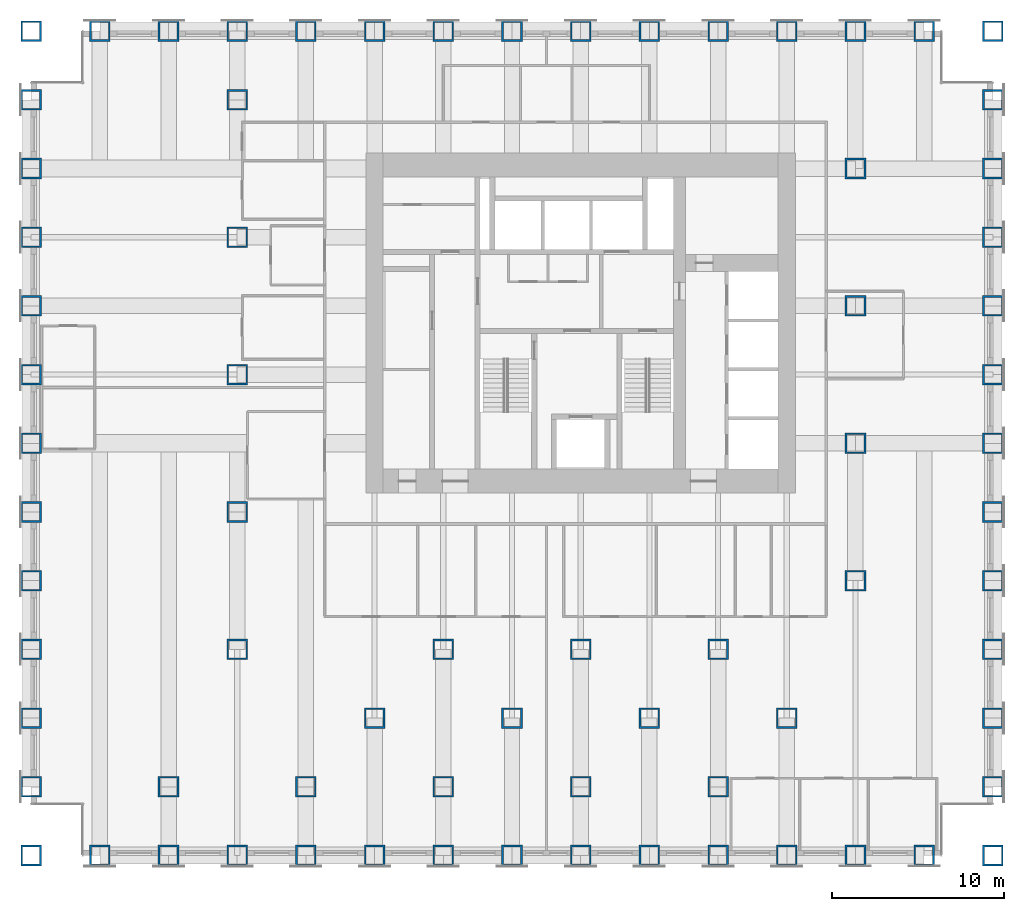
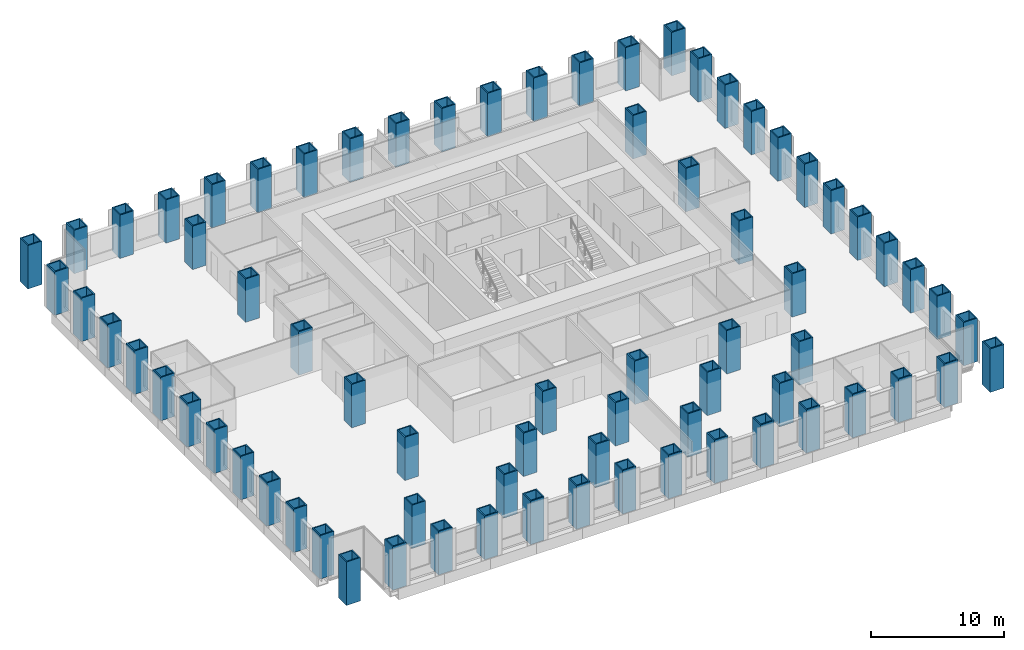
# One storey, part 1 of 15: 73 columns.
"""IFC4 building model written with IfcOpenShell, lengths in metres."""

from ifc_helpers import new_model, si_unit, direction, frame, origin, origin_2d, place, context, subcontext, project, spatial, hollow_rectangle, extrude, material, material_profile, profile_set, type_object, element, save


model = new_model("IFC4")

# Units and contexts
model_context = context("Model", 3, precision=1e-05, world=origin(), true_north=direction((0.0, 1.0)))
body_context = subcontext(model_context, "Body", "Model", "MODEL_VIEW")
ifc_project = project(units=[si_unit("LENGTHUNIT", "METRE"), si_unit("AREAUNIT", "SQUARE_METRE"), si_unit("VOLUMEUNIT", "CUBIC_METRE"), si_unit("PLANEANGLEUNIT", "RADIAN"), si_unit("MASSUNIT", "GRAM", prefix="KILO")], contexts=[model_context])

# Site, building, storey
site_placement = place(None, origin())
site = spatial("IfcSite", under=ifc_project, at=site_placement, CompositionType="ELEMENT")
building_placement = place(site_placement, origin())
building = spatial("IfcBuilding", under=site, at=building_placement, Name="Rimbunsela Tower", CompositionType="ELEMENT")
storey_placement = place(building_placement, frame((0.0, 0.0, 31.0)))
storey = spatial("IfcBuildingStorey", under=building, at=storey_placement, Name="L07", CompositionType="ELEMENT", Elevation=31.0)

# Columns
ifc_material = material(Name="Steel BJ 55 (fy 410 MPa)", Category="steel")
ifc_material_profile = material_profile(ifc_material, hollow_rectangle(XDim=1.199951171875, YDim=1.199951171875, WallThickness=0.10009765625, at=origin_2d()), Name="BOX 1200x1200x100")
ifc_profile_set = profile_set([ifc_material_profile], Name="Steel BJ 55 (fy 410 MPa)")
column_type = type_object("IfcColumnType", Name="Column BOX 1200x1200x100", PredefinedType="COLUMN", material=ifc_profile_set)
for number, where, z_axis, x_axis, name in (
    (1, (-2.0, -4.0, 0.0), (0.0, 0.0, 1.0), (1.0, 0.0, 0.0), "Column C7 2/A L07"),
    (2, (-2.0, 0.0, 0.0), (0.0, 0.0, 1.0), (1.0, 0.0, 0.0), "Column C7 2/B L07"),
    (3, (-2.0, 4.0, 0.0), (0.0, 0.0, 1.0), (1.0, 0.0, 0.0), "Column C7 2/C L07"),
    (4, (-2.0, 8.0, 0.0), (0.0, 0.0, 1.0), (1.0, 0.0, 0.0), "Column C7 2/D L07"),
    (5, (-2.0, 12.0, 0.0), (0.0, 0.0, 1.0), (1.0, 0.0, 0.0), "Column C7 2/E L07"),
    (6, (-2.0, 16.0, 0.0), (0.0, 0.0, 1.0), (1.0, 0.0, 0.0), "Column C7 2/F L07"),
    (7, (-2.0, 20.0, 0.0), (0.0, 0.0, 1.0), (1.0, 0.0, 0.0), "Column C7 2/G L07"),
    (8, (-2.0, 24.0, 0.0), (0.0, 0.0, 1.0), (1.0, 0.0, 0.0), "Column C7 2/H L07"),
    (9, (-2.0, 28.0, 0.0), (0.0, 0.0, 1.0), (1.0, 0.0, 0.0), "Column C7 2/J L07"),
    (10, (-2.0, 32.0, 0.0), (0.0, 0.0, 1.0), (1.0, 0.0, 0.0), "Column C7 2/K L07"),
    (11, (-2.0, 36.0, 0.0), (0.0, 0.0, 1.0), (1.0, 0.0, 0.0), "Column C7 2/L L07"),
    (12, (-2.0, 40.0, 0.0), (0.0, 0.0, 1.0), (1.0, 0.0, 0.0), "Column C7 2/M L07"),
    (13, (-2.0, 44.0, 0.0), (0.0, 0.0, 1.0), (1.0, 0.0, 0.0), "Column C7 2/N L07"),
    (14, (2.0, -4.0, 0.0), (0.0, 0.0, 1.0), (1.0, 0.0, 0.0), "Column C7 3/A L07"),
    (15, (2.0, 44.0, 0.0), (0.0, 0.0, 1.0), (1.0, 0.0, 0.0), "Column C7 3/N L07"),
    (16, (6.0, -4.0, 0.0), (0.0, 0.0, 1.0), (1.0, 0.0, 0.0), "Column C7 4/A L07"),
    (17, (6.0, 44.0, 0.0), (0.0, 0.0, 1.0), (1.0, 0.0, 0.0), "Column C7 4/N L07"),
    (18, (10.0, -4.0, 0.0), (0.0, 0.0, 1.0), (1.0, 0.0, 0.0), "Column C7 5/A L07"),
    (19, (10.0, 44.0, 0.0), (0.0, 0.0, 1.0), (1.0, 0.0, 0.0), "Column C7 5/N L07"),
    (20, (14.0, -4.0, 0.0), (0.0, 0.0, 1.0), (1.0, 0.0, 0.0), "Column C7 6/A L07"),
    (21, (14.0, 44.0, 0.0), (0.0, 0.0, 1.0), (1.0, 0.0, 0.0), "Column C7 6/N L07"),
    (22, (18.0, -4.0, 0.0), (0.0, 0.0, 1.0), (1.0, 0.0, 0.0), "Column C7 7/A L07"),
    (23, (18.0, 44.0, 0.0), (0.0, 0.0, 1.0), (1.0, 0.0, 0.0), "Column C7 7/N L07"),
    (24, (22.0, -4.0, 0.0), (0.0, 0.0, 1.0), (1.0, 0.0, 0.0), "Column C7 8/A L07"),
    (25, (22.0, 44.0, 0.0), (0.0, 0.0, 1.0), (1.0, 0.0, 0.0), "Column C7 8/N L07"),
    (26, (26.0, -4.0, 0.0), (0.0, 0.0, 1.0), (1.0, 0.0, 0.0), "Column C7 9/A L07"),
    (27, (26.0, 44.0, 0.0), (0.0, 0.0, 1.0), (1.0, 0.0, 0.0), "Column C7 9/N L07"),
    (28, (30.0, -4.0, 0.0), (0.0, 0.0, 1.0), (1.0, 0.0, 0.0), "Column C7 10/A L07"),
    (29, (30.0, 44.0, 0.0), (0.0, 0.0, 1.0), (1.0, 0.0, 0.0), "Column C7 10/N L07"),
    (30, (34.0, -4.0, 0.0), (0.0, 0.0, 1.0), (1.0, 0.0, 0.0), "Column C7 11/A L07"),
    (31, (34.0, 44.0, 0.0), (0.0, 0.0, 1.0), (1.0, 0.0, 0.0), "Column C7 11/N L07"),
    (32, (38.0, -4.0, 0.0), (0.0, 0.0, 1.0), (1.0, 0.0, 0.0), "Column C7 12/A L07"),
    (33, (38.0, 44.0, 0.0), (0.0, 0.0, 1.0), (1.0, 0.0, 0.0), "Column C7 12/N L07"),
    (34, (42.0, -4.0, 0.0), (0.0, 0.0, 1.0), (1.0, 0.0, 0.0), "Column C7 13/A L07"),
    (35, (42.0, 44.0, 0.0), (0.0, 0.0, 1.0), (1.0, 0.0, 0.0), "Column C7 13/N L07"),
    (36, (46.0, -4.0, 0.0), (0.0, 0.0, 1.0), (1.0, 0.0, 0.0), "Column C7 14/A L07"),
    (37, (46.0, 44.0, 0.0), (0.0, 0.0, 1.0), (1.0, 0.0, 0.0), "Column C7 14/N L07"),
    (38, (50.0, -4.0, 0.0), (0.0, 0.0, 1.0), (1.0, 0.0, 0.0), "Column C7 15/A L07"),
    (39, (50.0, 44.0, 0.0), (0.0, 0.0, 1.0), (1.0, 0.0, 0.0), "Column C7 15/N L07"),
    (40, (54.0, -4.0, 0.0), (0.0, 0.0, 1.0), (1.0, 0.0, 0.0), "Column C7 16/A L07"),
    (41, (54.0, 0.0, 0.0), (0.0, 0.0, 1.0), (1.0, 0.0, 0.0), "Column C7 16/B L07"),
    (42, (54.0, 4.0, 0.0), (0.0, 0.0, 1.0), (1.0, 0.0, 0.0), "Column C7 16/C L07"),
    (43, (54.0, 8.0, 0.0), (0.0, 0.0, 1.0), (1.0, 0.0, 0.0), "Column C7 16/D L07"),
    (44, (54.0, 12.0, 0.0), (0.0, 0.0, 1.0), (1.0, 0.0, 0.0), "Column C7 16/E L07"),
    (45, (54.0, 16.0, 0.0), (0.0, 0.0, 1.0), (1.0, 0.0, 0.0), "Column C7 16/F L07"),
    (46, (54.0, 20.0, 0.0), (0.0, 0.0, 1.0), (1.0, 0.0, 0.0), "Column C7 16/G L07"),
    (47, (54.0, 24.0, 0.0), (0.0, 0.0, 1.0), (1.0, 0.0, 0.0), "Column C7 16/H L07"),
    (48, (54.0, 28.0, 0.0), (0.0, 0.0, 1.0), (1.0, 0.0, 0.0), "Column C7 16/J L07"),
    (49, (54.0, 32.0, 0.0), (0.0, 0.0, 1.0), (1.0, 0.0, 0.0), "Column C7 16/K L07"),
    (50, (54.0, 36.0, 0.0), (0.0, 0.0, 1.0), (1.0, 0.0, 0.0), "Column C7 16/L L07"),
    (51, (54.0, 40.0, 0.0), (0.0, 0.0, 1.0), (1.0, 0.0, 0.0), "Column C7 16/M L07"),
    (52, (54.0, 44.0, 0.0), (0.0, 0.0, 1.0), (1.0, 0.0, 0.0), "Column C7 16/N L07"),
    (53, (6.0, 0.0, 0.0), (0.0, 0.0, 1.0), (1.0, 0.0, 0.0), "Column C7 4/B L07"),
    (54, (10.0, 8.0, 0.0), (0.0, 0.0, 1.0), (1.0, 0.0, 0.0), "Column C7 5/D L07"),
    (55, (10.0, 16.0, 0.0), (0.0, 0.0, 1.0), (1.0, 0.0, 0.0), "Column C7 5/F L07"),
    (56, (10.0, 24.0, 0.0), (0.0, 0.0, 1.0), (1.0, 0.0, 0.0), "Column C7 5/H L07"),
    (57, (10.0, 32.0, 0.0), (0.0, 0.0, 1.0), (1.0, 0.0, 0.0), "Column C7 5/K L07"),
    (58, (10.0, 40.0, 0.0), (0.0, 0.0, 1.0), (1.0, 0.0, 0.0), "Column C7 5/M L07"),
    (59, (14.0, 0.0, 0.0), (0.0, 0.0, 1.0), (1.0, 0.0, 0.0), "Column C7 6/B L07"),
    (60, (18.0, 4.0, 0.0), (0.0, 0.0, 1.0), (1.0, 0.0, 0.0), "Column C7 7/C L07"),
    (61, (22.0, 0.0, 0.0), (0.0, 0.0, 1.0), (1.0, 0.0, 0.0), "Column C7 8/B L07"),
    (62, (22.0, 8.0, 0.0), (0.0, 0.0, 1.0), (1.0, 0.0, 0.0), "Column C7 8/D L07"),
    (63, (26.0, 4.0, 0.0), (0.0, 0.0, 1.0), (1.0, 0.0, 0.0), "Column C7 9/C L07"),
    (64, (30.0, 0.0, 0.0), (0.0, 0.0, 1.0), (1.0, 0.0, 0.0), "Column C7 10/B L07"),
    (65, (30.0, 8.0, 0.0), (0.0, 0.0, 1.0), (1.0, 0.0, 0.0), "Column C7 10/D L07"),
    (66, (34.0, 4.0, 0.0), (0.0, 0.0, 1.0), (1.0, 0.0, 0.0), "Column C7 11/C L07"),
    (67, (38.0, 0.0, 0.0), (0.0, 0.0, 1.0), (1.0, 0.0, 0.0), "Column C7 12/B L07"),
    (68, (38.0, 8.0, 0.0), (0.0, 0.0, 1.0), (1.0, 0.0, 0.0), "Column C7 12/D L07"),
    (69, (42.0, 4.0, 0.0), (0.0, 0.0, 1.0), (1.0, 0.0, 0.0), "Column C7 13/C L07"),
    (70, (46.0, 12.0, 0.0), (0.0, 0.0, 1.0), (1.0, 0.0, 0.0), "Column C7 14/E L07"),
    (71, (46.0, 20.0, 0.0), (0.0, 0.0, 1.0), (1.0, 0.0, 0.0), "Column C7 14/G L07"),
    (72, (46.0, 28.0, 0.0), (0.0, 0.0, 1.0), (1.0, 0.0, 0.0), "Column C7 14/J L07"),
    (73, (46.0, 36.0, 0.0), (0.0, 0.0, 1.0), (1.0, 0.0, 0.0), "Column C7 14/L L07"),
):
    element("IfcColumn", number, at=place(storey_placement, frame(where, z_axis=z_axis, x_axis=x_axis)), inside=storey, type_object=column_type, Name=name, PredefinedType="COLUMN", context=body_context, shape_type="SweptSolid", body=[
        extrude(hollow_rectangle(XDim=1.199951171875, YDim=1.199951171875, WallThickness=0.10009765625, at=origin_2d()), origin(), (0.0, 0.0, 1.0), 4.0),
    ])

save(model, "model.ifc")
